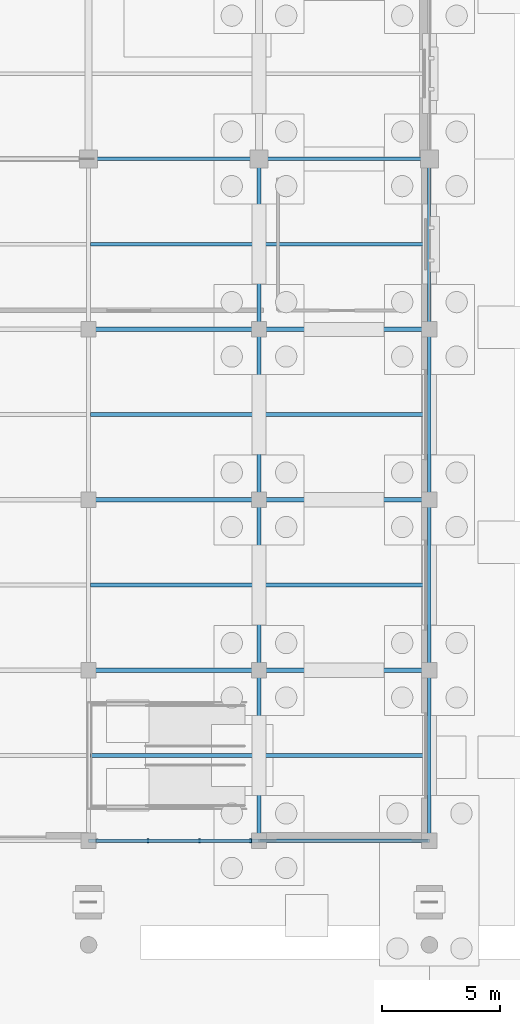
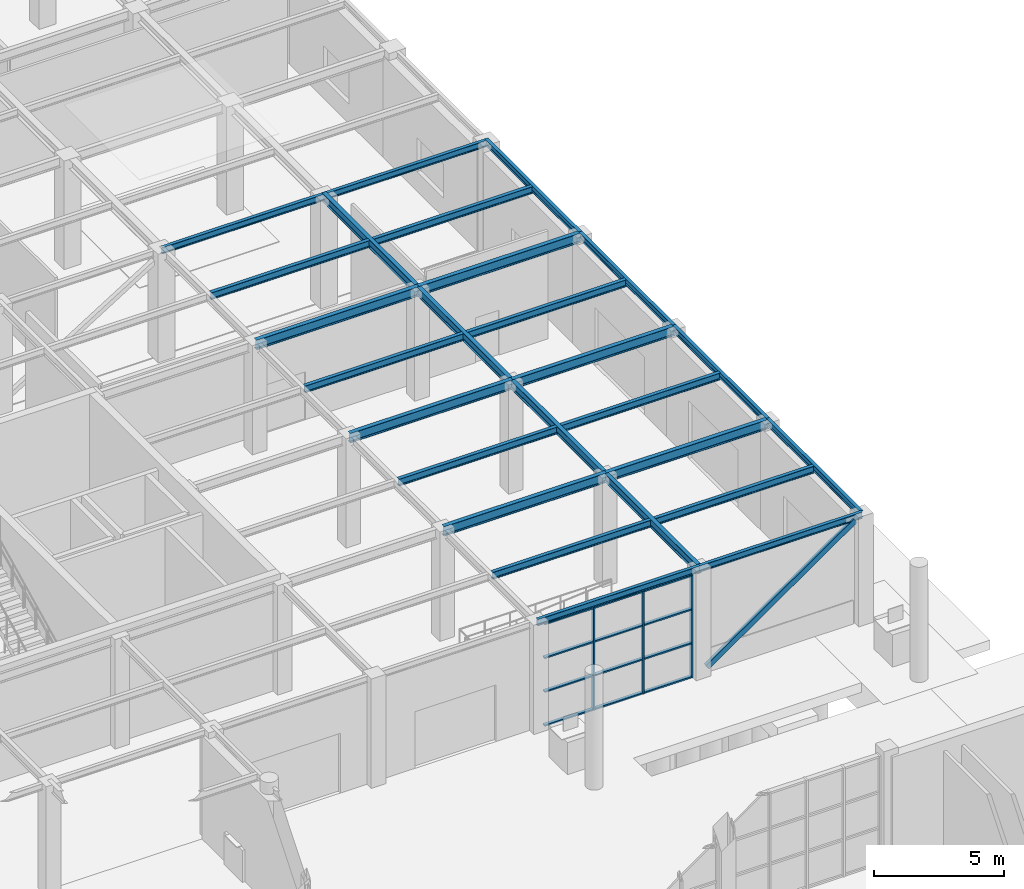
# One storey, part 30 of 75: 26 beams, 8 members, 1 element without a shape of its own.
"""IFC4 building model written with IfcOpenShell, lengths in metres."""

from ifc_helpers import new_model, si_unit, direction, frame, origin, origin_2d, place, context, subcontext, project, spatial, rectangle, hollow_rectangle, i_section, extrude, material, material_profile, profile_set, type_object, element, aggregate, save


model = new_model("IFC4")

# Units and contexts
model_context = context("Model", 3, precision=1e-05, world=origin(), true_north=direction((0.0, 1.0)))
body_context = subcontext(model_context, "Body", "Model", "MODEL_VIEW")
ifc_project = project(units=[si_unit("LENGTHUNIT", "METRE"), si_unit("AREAUNIT", "SQUARE_METRE"), si_unit("VOLUMEUNIT", "CUBIC_METRE"), si_unit("PLANEANGLEUNIT", "RADIAN"), si_unit("MASSUNIT", "GRAM", prefix="KILO")], contexts=[model_context])

# Site, building, storey
site_placement = place(None, origin())
site = spatial("IfcSite", under=ifc_project, at=site_placement, CompositionType="ELEMENT")
building_placement = place(site_placement, origin())
building = spatial("IfcBuilding", under=site, at=building_placement, Name="Leyfeld Transit Interchange", CompositionType="ELEMENT")
storey_placement = place(building_placement, origin())
storey = spatial("IfcBuildingStorey", under=building, at=storey_placement, Name="L00", CompositionType="ELEMENT", Elevation=0.0)

# Beams
ifc_material_1 = material(Name="Steel S355J2", Category="steel")
ifc_material_profile_1 = material_profile(ifc_material_1, i_section(OverallWidth=0.14990234375, OverallDepth=0.300048828125, WebThickness=0.007080078125, FlangeThickness=0.0107421875, FilletRadius=0.014892578125, at=origin_2d()), Name="IPE 300")
ifc_profile_set_1 = profile_set([ifc_material_profile_1], Name="Steel S355J2")
beam_type_1 = type_object("IfcBeamType", Name="BM-STL-IPE300", PredefinedType="SPANDREL", material=ifc_profile_set_1)
for number, where, z_axis, x_axis, name in (
    (1, (43.199951171875, 64.800048828125, 4.969970703125), (0.0, 1.0, 0.0), (-1.0, 0.0, 0.0), "Beam BM-L00-0432_0648-0432_0720"),
    (2, (43.199951171875, 72.0, 4.969970703125), (0.0, 1.0, 0.0), (-1.0, 0.0, 0.0), "Beam BM-L00-0432_0720-0432_0792"),
    (3, (43.199951171875, 79.199951171875, 4.969970703125), (0.0, 1.0, 0.0), (-1.0, 0.0, 0.0), "Beam BM-L00-0432_0792-0432_0864"),
):
    element("IfcBeam", number, at=place(storey_placement, frame(where, z_axis=z_axis, x_axis=x_axis)), inside=storey, type_object=beam_type_1, Name=name, PredefinedType="SPANDREL", context=body_context, shape_type="SweptSolid", body=[
        extrude(i_section(OverallWidth=0.14990234375, OverallDepth=0.300048828125, WebThickness=0.007080078125, FlangeThickness=0.0107421875, FilletRadius=0.014892578125, at=origin_2d()), origin(), (0.0, 0.0, 1.0), 7.199951171875),
    ])
beam_1_placement = place(storey_placement, frame((43.199951171875, 86.39990234375, 4.969970703125), z_axis=(0.0, 1.0, 0.0), x_axis=(-1.0, 0.0, 0.0)))
element("IfcBeam", 4, at=beam_1_placement, inside=storey, type_object=beam_type_1, Name="Beam BM-L00-0432_0864-0432_0936", PredefinedType="SPANDREL", context=body_context, shape_type="SweptSolid", body=[
    extrude(i_section(OverallWidth=0.14990234375, OverallDepth=0.300048828125, WebThickness=0.007080078125, FlangeThickness=0.0107421875, FilletRadius=0.014892578125, at=origin_2d()), origin(), (0.0, 0.0, 1.0), 7.2001953125),
])
for number, where, z_axis, x_axis, name in (
    (5, (28.800048828125, 64.800048828125, 4.969970703125), (1.0, 0.0, 0.0), (0.0, 1.0, 0.0), "Beam BM-L00-0288_0648-0360_0648"),
    (6, (36.0, 64.800048828125, 4.969970703125), (1.0, 0.0, 0.0), (0.0, 1.0, 0.0), "Beam BM-L00-0360_0648-0432_0648"),
    (7, (28.800048828125, 93.60009765625, 4.929931640625), (1.0, 0.0, 0.0), (0.0, 1.0, 0.0), "Beam BM-L00-0288_0936-0360_0936"),
    (8, (36.0, 93.60009765625, 4.929931640625), (1.0, 0.0, 0.0), (0.0, 1.0, 0.0), "Beam BM-L00-0360_0936-0432_0936"),
):
    element("IfcBeam", number, at=place(storey_placement, frame(where, z_axis=z_axis, x_axis=x_axis)), inside=storey, type_object=beam_type_1, Name=name, PredefinedType="SPANDREL", context=body_context, shape_type="SweptSolid", body=[
        extrude(i_section(OverallWidth=0.14990234375, OverallDepth=0.300048828125, WebThickness=0.007080078125, FlangeThickness=0.0107421875, FilletRadius=0.014892578125, at=origin_2d()), origin(), (0.0, 0.0, 1.0), 7.199951171875),
    ])
ifc_material_profile_2 = material_profile(ifc_material_1, i_section(OverallWidth=0.159912109375, OverallDepth=0.330078125, WebThickness=0.007568359375, FlangeThickness=0.011474609375, FilletRadius=0.01806640625, at=origin_2d()), Name="IPE 330")
ifc_profile_set_2 = profile_set([ifc_material_profile_2], Name="Steel S355J2")
beam_type_2 = type_object("IfcBeamType", Name="BM-STL-IPE330", PredefinedType="BEAM", material=ifc_profile_set_2)
beam_2_placement = place(storey_placement, frame((28.886962890625, 68.39990234375, 4.955078125), z_axis=(1.0, 0.0, 0.0), x_axis=(0.0, 1.0, 0.0)))
element("IfcBeam", 9, at=beam_2_placement, inside=storey, type_object=beam_type_2, Name="Beam BM-L00-0289_0684-0359_0684", PredefinedType="BEAM", context=body_context, shape_type="SweptSolid", body=[
    extrude(i_section(OverallWidth=0.159912109375, OverallDepth=0.330078125, WebThickness=0.007568359375, FlangeThickness=0.011474609375, FilletRadius=0.01806640625, at=origin_2d()), origin(), (0.0, 0.0, 1.0), 7.026123046875),
])
beam_3_placement = place(storey_placement, frame((36.0869140625, 68.39990234375, 4.955078125), z_axis=(1.0, 0.0, 0.0), x_axis=(0.0, 1.0, 0.0)))
element("IfcBeam", 10, at=beam_3_placement, inside=storey, type_object=beam_type_2, Name="Beam BM-L00-0361_0684-0431_0684", PredefinedType="BEAM", context=body_context, shape_type="SweptSolid", body=[
    extrude(i_section(OverallWidth=0.159912109375, OverallDepth=0.330078125, WebThickness=0.007568359375, FlangeThickness=0.011474609375, FilletRadius=0.01806640625, at=origin_2d()), origin(), (0.0, 0.0, 1.0), 7.041015625),
])
beam_4_placement = place(storey_placement, frame((28.886962890625, 75.60009765625, 4.955078125), z_axis=(1.0, 0.0, 0.0), x_axis=(0.0, 1.0, 0.0)))
element("IfcBeam", 11, at=beam_4_placement, inside=storey, type_object=beam_type_2, Name="Beam BM-L00-0289_0756-0359_0756", PredefinedType="BEAM", context=body_context, shape_type="SweptSolid", body=[
    extrude(i_section(OverallWidth=0.159912109375, OverallDepth=0.330078125, WebThickness=0.007568359375, FlangeThickness=0.011474609375, FilletRadius=0.01806640625, at=origin_2d()), origin(), (0.0, 0.0, 1.0), 7.026123046875),
])
beam_5_placement = place(storey_placement, frame((36.0869140625, 75.60009765625, 4.955078125), z_axis=(1.0, 0.0, 0.0), x_axis=(0.0, 1.0, 0.0)))
element("IfcBeam", 12, at=beam_5_placement, inside=storey, type_object=beam_type_2, Name="Beam BM-L00-0361_0756-0431_0756", PredefinedType="BEAM", context=body_context, shape_type="SweptSolid", body=[
    extrude(i_section(OverallWidth=0.159912109375, OverallDepth=0.330078125, WebThickness=0.007568359375, FlangeThickness=0.011474609375, FilletRadius=0.01806640625, at=origin_2d()), origin(), (0.0, 0.0, 1.0), 7.041015625),
])
beam_6_placement = place(storey_placement, frame((28.886962890625, 82.800048828125, 4.955078125), z_axis=(1.0, 0.0, 0.0), x_axis=(0.0, 1.0, 0.0)))
element("IfcBeam", 13, at=beam_6_placement, inside=storey, type_object=beam_type_2, Name="Beam BM-L00-0289_0828-0359_0828", PredefinedType="BEAM", context=body_context, shape_type="SweptSolid", body=[
    extrude(i_section(OverallWidth=0.159912109375, OverallDepth=0.330078125, WebThickness=0.007568359375, FlangeThickness=0.011474609375, FilletRadius=0.01806640625, at=origin_2d()), origin(), (0.0, 0.0, 1.0), 7.026123046875),
])
beam_7_placement = place(storey_placement, frame((36.0869140625, 82.800048828125, 4.955078125), z_axis=(1.0, 0.0, 0.0), x_axis=(0.0, 1.0, 0.0)))
element("IfcBeam", 14, at=beam_7_placement, inside=storey, type_object=beam_type_2, Name="Beam BM-L00-0361_0828-0431_0828", PredefinedType="BEAM", context=body_context, shape_type="SweptSolid", body=[
    extrude(i_section(OverallWidth=0.159912109375, OverallDepth=0.330078125, WebThickness=0.007568359375, FlangeThickness=0.011474609375, FilletRadius=0.01806640625, at=origin_2d()), origin(), (0.0, 0.0, 1.0), 7.041015625),
])
beam_8_placement = place(storey_placement, frame((28.886962890625, 90.0, 4.955078125), z_axis=(1.0, 0.0, 0.0), x_axis=(0.0, 1.0, 0.0)))
element("IfcBeam", 15, at=beam_8_placement, inside=storey, type_object=beam_type_2, Name="Beam BM-L00-0289_0900-0359_0900", PredefinedType="BEAM", context=body_context, shape_type="SweptSolid", body=[
    extrude(i_section(OverallWidth=0.159912109375, OverallDepth=0.330078125, WebThickness=0.007568359375, FlangeThickness=0.011474609375, FilletRadius=0.01806640625, at=origin_2d()), origin(), (0.0, 0.0, 1.0), 7.026123046875),
])
beam_9_placement = place(storey_placement, frame((36.0869140625, 90.0, 4.955078125), z_axis=(1.0, 0.0, 0.0), x_axis=(0.0, 1.0, 0.0)))
element("IfcBeam", 16, at=beam_9_placement, inside=storey, type_object=beam_type_2, Name="Beam BM-L00-0361_0900-0431_0900", PredefinedType="BEAM", context=body_context, shape_type="SweptSolid", body=[
    extrude(i_section(OverallWidth=0.159912109375, OverallDepth=0.330078125, WebThickness=0.007568359375, FlangeThickness=0.011474609375, FilletRadius=0.01806640625, at=origin_2d()), origin(), (0.0, 0.0, 1.0), 7.041015625),
])
ifc_material_profile_3 = material_profile(ifc_material_1, i_section(OverallWidth=0.179931640625, OverallDepth=0.39990234375, WebThickness=0.008544921875, FlangeThickness=0.013427734375, FilletRadius=0.02099609375, at=origin_2d()), Name="IPE 400")
ifc_profile_set_3 = profile_set([ifc_material_profile_3], Name="Steel S355J2")
beam_type_3 = type_object("IfcBeamType", Name="BM-STL-IPE400", PredefinedType="BEAM", material=ifc_profile_set_3)
for number, where, z_axis, x_axis, name in (
    (17, (36.0, 64.800048828125, 4.919921875), (0.0, 1.0, 0.0), (-1.0, 0.0, 0.0), "Beam BM-L00-0360_0648-0360_0720"),
    (18, (36.0, 72.0, 4.919921875), (0.0, 1.0, 0.0), (-1.0, 0.0, 0.0), "Beam BM-L00-0360_0720-0360_0792"),
    (19, (36.0, 79.199951171875, 4.919921875), (0.0, 1.0, 0.0), (-1.0, 0.0, 0.0), "Beam BM-L00-0360_0792-0360_0864"),
):
    element("IfcBeam", number, at=place(storey_placement, frame(where, z_axis=z_axis, x_axis=x_axis)), inside=storey, type_object=beam_type_3, Name=name, PredefinedType="BEAM", context=body_context, shape_type="SweptSolid", body=[
        extrude(i_section(OverallWidth=0.179931640625, OverallDepth=0.39990234375, WebThickness=0.008544921875, FlangeThickness=0.013427734375, FilletRadius=0.02099609375, at=origin_2d()), origin(), (0.0, 0.0, 1.0), 7.199951171875),
    ])
beam_10_placement = place(storey_placement, frame((36.0, 86.39990234375, 4.919921875), z_axis=(0.0, 1.0, 0.0), x_axis=(-1.0, 0.0, 0.0)))
element("IfcBeam", 20, at=beam_10_placement, inside=storey, type_object=beam_type_3, Name="Beam BM-L00-0360_0864-0360_0936", PredefinedType="BEAM", context=body_context, shape_type="SweptSolid", body=[
    extrude(i_section(OverallWidth=0.179931640625, OverallDepth=0.39990234375, WebThickness=0.008544921875, FlangeThickness=0.013427734375, FilletRadius=0.02099609375, at=origin_2d()), origin(), (0.0, 0.0, 1.0), 7.2001953125),
])
ifc_material_profile_4 = material_profile(ifc_material_1, i_section(OverallWidth=0.18994140625, OverallDepth=0.449951171875, WebThickness=0.009521484375, FlangeThickness=0.0146484375, FilletRadius=0.02099609375, at=origin_2d()), Name="IPE 450")
ifc_profile_set_4 = profile_set([ifc_material_profile_4], Name="Steel S355J2")
beam_type_4 = type_object("IfcBeamType", Name="BM-STL-IPE450", PredefinedType="BEAM", material=ifc_profile_set_4)
for number, where, z_axis, x_axis, name in (
    (21, (28.800048828125, 72.0, 4.89501953125), (1.0, 0.0, 0.0), (0.0, 1.0, 0.0), "Beam BM-L00-0288_0720-0360_0720"),
    (22, (36.0, 72.0, 4.89501953125), (1.0, 0.0, 0.0), (0.0, 1.0, 0.0), "Beam BM-L00-0360_0720-0432_0720"),
    (23, (28.800048828125, 79.199951171875, 4.89501953125), (1.0, 0.0, 0.0), (0.0, 1.0, 0.0), "Beam BM-L00-0288_0792-0360_0792"),
    (24, (36.0, 79.199951171875, 4.89501953125), (1.0, 0.0, 0.0), (0.0, 1.0, 0.0), "Beam BM-L00-0360_0792-0432_0792"),
    (25, (28.800048828125, 86.39990234375, 4.89501953125), (1.0, 0.0, 0.0), (0.0, 1.0, 0.0), "Beam BM-L00-0288_0864-0360_0864"),
    (26, (36.0, 86.39990234375, 4.89501953125), (1.0, 0.0, 0.0), (0.0, 1.0, 0.0), "Beam BM-L00-0360_0864-0432_0864"),
):
    element("IfcBeam", number, at=place(storey_placement, frame(where, z_axis=z_axis, x_axis=x_axis)), inside=storey, type_object=beam_type_4, Name=name, PredefinedType="BEAM", context=body_context, shape_type="SweptSolid", body=[
        extrude(i_section(OverallWidth=0.18994140625, OverallDepth=0.449951171875, WebThickness=0.009521484375, FlangeThickness=0.0146484375, FilletRadius=0.02099609375, at=origin_2d()), origin(), (0.0, 0.0, 1.0), 7.199951171875),
    ])

# Curtain wall, members
ifc_material_2 = material(Name="Anodised aluminium EN AW-6060 T66", Category="aluminium")
curtain_wall_type = type_object("IfcCurtainWallType", Name="CW-SYS-CYC-7200", PredefinedType="NOTDEFINED", material=ifc_material_2)
curtain_wall_placement = place(storey_placement, origin())
curtain_wall = element("IfcCurtainWall", 27, at=curtain_wall_placement, inside=storey, type_object=curtain_wall_type, Name="Curtain Wall CW-L00-009", PredefinedType="NOTDEFINED")
ifc_material_profile_5 = material_profile(ifc_material_2, rectangle(XDim=0.06494140625, YDim=0.179931640625, at=origin_2d()), Name="CW-M 65x180")
ifc_profile_set_5 = profile_set([ifc_material_profile_5], Name="Anodised aluminium EN AW-6060 T66")
member_type_1 = type_object("IfcMemberType", Name="CW-MUL-150x65", PredefinedType="MULLION", material=ifc_profile_set_5)
member_1_placement = place(storey_placement, frame((35.652587890625, 64.800048828125, 0.0), z_axis=(0.0, 0.0, 1.0), x_axis=(-1.0, 0.0, 0.0)))
member_1 = element("IfcMember", 28, at=member_1_placement, type_object=member_type_1, Name="Curtain Mullion CW-L00-009-M01", PredefinedType="MULLION", context=body_context, shape_type="SweptSolid", body=[
    extrude(rectangle(XDim=0.06494140625, YDim=0.179931640625, at=origin_2d()), origin(), (0.0, 0.0, 1.0), 4.820068359375),
])
member_2_placement = place(storey_placement, frame((33.4951171875, 64.800048828125, 0.0), z_axis=(0.0, 0.0, 1.0), x_axis=(-1.0, 0.0, 0.0)))
member_2 = element("IfcMember", 29, at=member_2_placement, type_object=member_type_1, Name="Curtain Mullion CW-L00-009-M02", PredefinedType="MULLION", context=body_context, shape_type="SweptSolid", body=[
    extrude(rectangle(XDim=0.06494140625, YDim=0.179931640625, at=origin_2d()), origin(), (0.0, 0.0, 1.0), 4.820068359375),
])
member_3_placement = place(storey_placement, frame((31.304931640625, 64.800048828125, 0.0), z_axis=(0.0, 0.0, 1.0), x_axis=(-1.0, 0.0, 0.0)))
member_3 = element("IfcMember", 30, at=member_3_placement, type_object=member_type_1, Name="Curtain Mullion CW-L00-009-M03", PredefinedType="MULLION", context=body_context, shape_type="SweptSolid", body=[
    extrude(rectangle(XDim=0.06494140625, YDim=0.179931640625, at=origin_2d()), origin(), (0.0, 0.0, 1.0), 4.820068359375),
])
ifc_material_profile_6 = material_profile(ifc_material_2, rectangle(XDim=0.14990234375, YDim=0.06494140625, at=origin_2d()), Name="CW-TRN-135x65")
ifc_profile_set_6 = profile_set([ifc_material_profile_6], Name="Anodised aluminium EN AW-6060 T66")
member_type_2 = type_object("IfcMemberType", Name="CW-TRN-135x65", PredefinedType="USERDEFINED", material=ifc_profile_set_6)
member_4_placement = place(storey_placement, frame((35.68505859375, 64.800048828125, 0.032470703125), z_axis=(-1.0, 0.0, 0.0), x_axis=(0.0, -1.0, 0.0)))
member_4 = element("IfcMember", 31, at=member_4_placement, type_object=member_type_2, Name="Curtain Transom CW-L00-009-T01", ObjectType="TRANSOM", PredefinedType="USERDEFINED", context=body_context, shape_type="SweptSolid", body=[
    extrude(rectangle(XDim=0.14990234375, YDim=0.06494140625, at=origin_2d()), origin(), (0.0, 0.0, 1.0), 6.570068359375),
])
member_5_placement = place(storey_placement, frame((35.68505859375, 64.800048828125, 1.617431640625), z_axis=(-1.0, 0.0, 0.0), x_axis=(0.0, -1.0, 0.0)))
member_5 = element("IfcMember", 32, at=member_5_placement, type_object=member_type_2, Name="Curtain Transom CW-L00-009-T02", ObjectType="TRANSOM", PredefinedType="USERDEFINED", context=body_context, shape_type="SweptSolid", body=[
    extrude(rectangle(XDim=0.14990234375, YDim=0.06494140625, at=origin_2d()), origin(), (0.0, 0.0, 1.0), 6.570068359375),
])
member_6_placement = place(storey_placement, frame((35.68505859375, 64.800048828125, 3.202392578125), z_axis=(-1.0, 0.0, 0.0), x_axis=(0.0, -1.0, 0.0)))
member_6 = element("IfcMember", 33, at=member_6_placement, type_object=member_type_2, Name="Curtain Transom CW-L00-009-T03", ObjectType="TRANSOM", PredefinedType="USERDEFINED", context=body_context, shape_type="SweptSolid", body=[
    extrude(rectangle(XDim=0.14990234375, YDim=0.06494140625, at=origin_2d()), origin(), (0.0, 0.0, 1.0), 6.570068359375),
])
member_7_placement = place(storey_placement, frame((35.68505859375, 64.800048828125, 4.78759765625), z_axis=(-1.0, 0.0, 0.0), x_axis=(0.0, -1.0, 0.0)))
member_7 = element("IfcMember", 34, at=member_7_placement, type_object=member_type_2, Name="Curtain Transom CW-L00-009-T04", ObjectType="TRANSOM", PredefinedType="USERDEFINED", context=body_context, shape_type="SweptSolid", body=[
    extrude(rectangle(XDim=0.14990234375, YDim=0.06494140625, at=origin_2d()), origin(), (0.0, 0.0, 1.0), 6.570068359375),
])
aggregate(curtain_wall, [member_1, member_2, member_3, member_4, member_5, member_6, member_7])

# Member
ifc_material_profile_7 = material_profile(ifc_material_1, hollow_rectangle(XDim=0.14990234375, YDim=0.25, WallThickness=0.010009765625, at=origin_2d()), Name="RHS 250x150x10")
ifc_profile_set_7 = profile_set([ifc_material_profile_7], Name="Steel S355J2")
member_type_3 = type_object("IfcMemberType", Name="MEM-BRC-RHS250", PredefinedType="BRACE", material=ifc_profile_set_7)
member_8_placement = place(storey_placement, frame((36.320068359375, 64.800048828125, 0.25), z_axis=(0.820511014825, 0.0, 0.571630715192), x_axis=(0.0, 1.0, 0.0)))
element("IfcMember", 35, at=member_8_placement, inside=storey, type_object=member_type_3, Name="Lateral Diagonal Brace 004", PredefinedType="BRACE", context=body_context, shape_type="SweptSolid", body=[
    extrude(hollow_rectangle(XDim=0.14990234375, YDim=0.25, WallThickness=0.010009765625, at=origin_2d()), origin(), (0.0, 0.0, 1.0), 7.994873046875),
])

save(model, "model.ifc")
